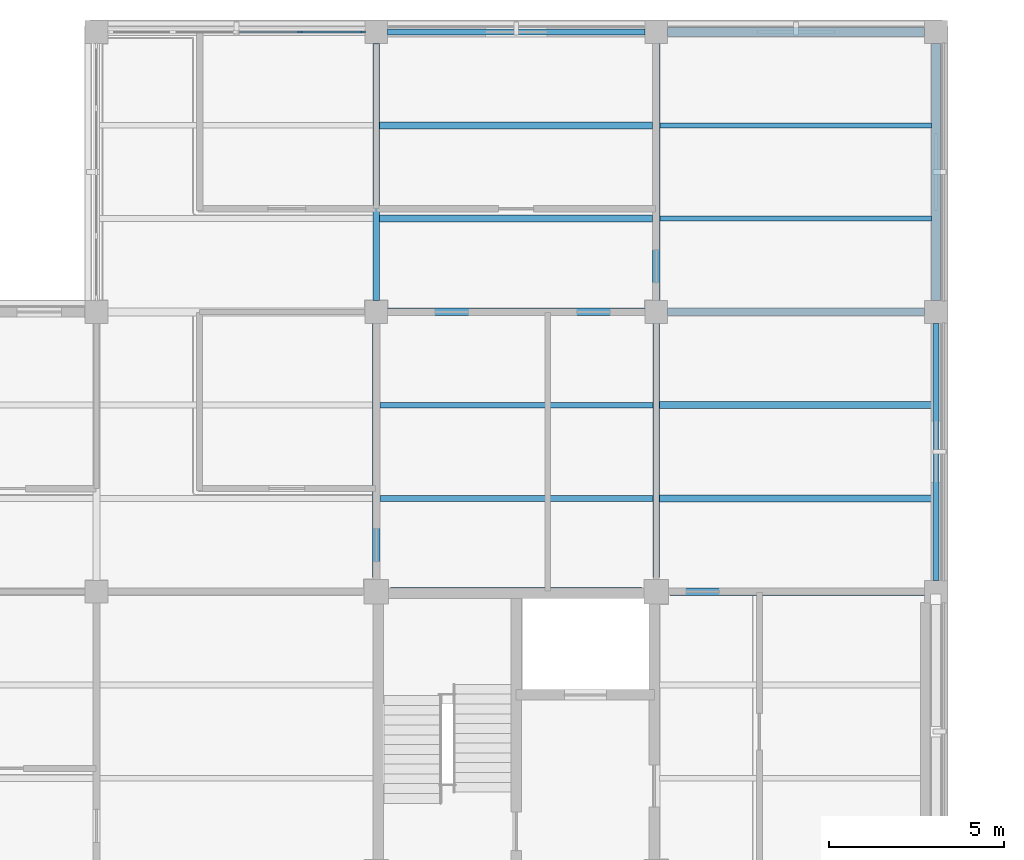
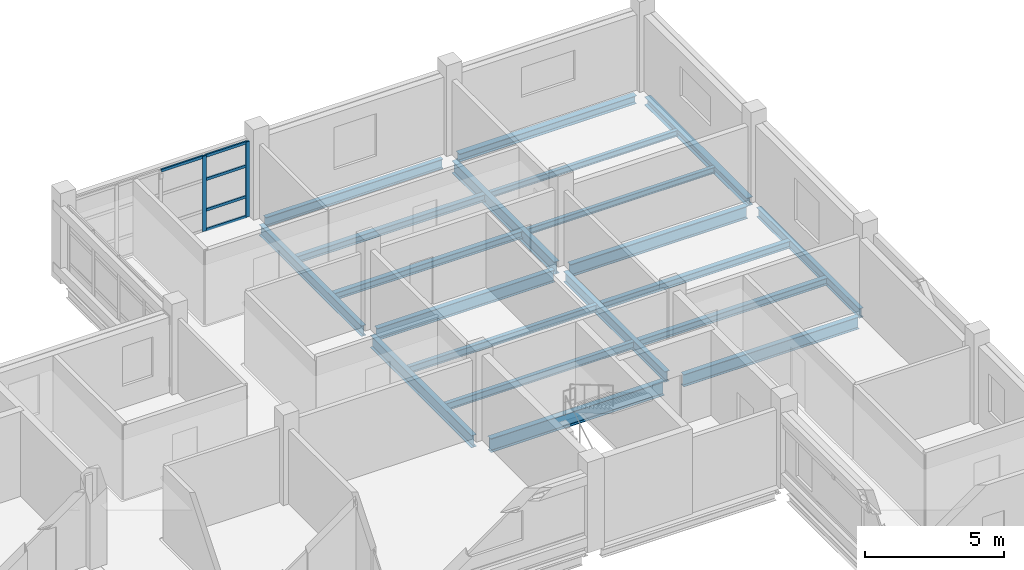
# One storey, part 54 of 107: 20 beams, 7 members, 1 element without a shape of its own.
"""IFC4 building model written with IfcOpenShell, lengths in metres."""

from ifc_helpers import new_model, si_unit, derived_unit, direction, frame, origin, origin_2d, place, context, subcontext, project, spatial, rectangle, i_section, extrude, material, layer, layer_set, material_profile, profile_set, type_object, element, aggregate, save


model = new_model("IFC4")

# Units and contexts
model_context = context("Model", 3, precision=1e-05, world=origin(), true_north=direction((0.0, 1.0)))
body_context = subcontext(model_context, "Body", "Model", "MODEL_VIEW")
ifc_project = project(units=[si_unit("LENGTHUNIT", "METRE"), si_unit("AREAUNIT", "SQUARE_METRE"), si_unit("VOLUMEUNIT", "CUBIC_METRE"), si_unit("PLANEANGLEUNIT", "RADIAN"), si_unit("MASSUNIT", "GRAM", prefix="KILO"), derived_unit("THERMALTRANSMITTANCEUNIT", [(si_unit("MASSUNIT", "GRAM", prefix="KILO"), 1), (si_unit("TIMEUNIT", "SECOND"), -3), (si_unit("THERMODYNAMICTEMPERATUREUNIT", "KELVIN"), -1)])], contexts=[model_context])

# Site, building, storey
site_placement = place(None, origin())
site = spatial("IfcSite", under=ifc_project, at=site_placement, CompositionType="ELEMENT")
building_placement = place(site_placement, origin())
building = spatial("IfcBuilding", under=site, at=building_placement, Name="Veyamyaing Civic Hall", CompositionType="ELEMENT")
storey_placement = place(building_placement, frame((0.0, 0.0, 13.860107421875)))
storey = spatial("IfcBuildingStorey", under=building, at=storey_placement, Name="L03", CompositionType="ELEMENT", Elevation=13.860107421875)

# Beams
ifc_material_1 = material(Name="Steel ASTM A992", Category="steel")
ifc_material_profile_1 = material_profile(ifc_material_1, i_section(OverallWidth=0.22802734375, OverallDepth=0.60791015625, WebThickness=0.01123046875, FlangeThickness=0.017333984375, FilletRadius=0.012939453125, at=origin_2d()), Name="W610X113")
ifc_profile_set_1 = profile_set([ifc_material_profile_1], Name="Steel ASTM A992")
beam_type_1 = type_object("IfcBeamType", Name="B-06", PredefinedType="BEAM", material=ifc_profile_set_1)
beam_1_placement = place(storey_placement, frame((160.39990234375, 96.0, -0.55908203125), z_axis=(1.0, 0.0, 0.0), x_axis=(0.0, 1.0, 0.0)))
element("IfcBeam", 1, at=beam_1_placement, inside=storey, type_object=beam_type_1, Name="Girder B-06 L03 Grid N 21-22", PredefinedType="BEAM", context=body_context, shape_type="SweptSolid", body=[
    extrude(i_section(OverallWidth=0.22802734375, OverallDepth=0.60791015625, WebThickness=0.01123046875, FlangeThickness=0.017333984375, FilletRadius=0.012939453125, at=origin_2d()), origin(), (0.0, 0.0, 1.0), 7.2001953125),
])
ifc_material_profile_2 = material_profile(ifc_material_1, i_section(OverallWidth=0.208984375, OverallDepth=0.532958984375, WebThickness=0.01025390625, FlangeThickness=0.015625, FilletRadius=0.011962890625, at=origin_2d()), Name="W530X92")
ifc_profile_set_2 = profile_set([ifc_material_profile_2], Name="Steel ASTM A992")
beam_type_2 = type_object("IfcBeamType", Name="B-07", PredefinedType="BEAM", material=ifc_profile_set_2)
beam_2_placement = place(storey_placement, frame((168.39990234375, 96.0, -0.521728515625), z_axis=(1.0, 0.0, 0.0), x_axis=(0.0, 1.0, 0.0)))
element("IfcBeam", 2, at=beam_2_placement, inside=storey, type_object=beam_type_2, Name="Girder B-07 L03 Grid N 22-23", PredefinedType="BEAM", context=body_context, shape_type="SweptSolid", body=[
    extrude(i_section(OverallWidth=0.208984375, OverallDepth=0.532958984375, WebThickness=0.01025390625, FlangeThickness=0.015625, FilletRadius=0.011962890625, at=origin_2d()), origin(), (0.0, 0.0, 1.0), 7.275146484375),
])
beam_3_placement = place(storey_placement, frame((160.324951171875, 104.0, -0.521728515625), z_axis=(1.0, 0.0, 0.0), x_axis=(0.0, 1.0, 0.0)))
element("IfcBeam", 3, at=beam_3_placement, inside=storey, type_object=beam_type_2, Name="Girder B-07 L03 Grid P 21-22", PredefinedType="BEAM", context=body_context, shape_type="SweptSolid", body=[
    extrude(i_section(OverallWidth=0.208984375, OverallDepth=0.532958984375, WebThickness=0.01025390625, FlangeThickness=0.015625, FilletRadius=0.011962890625, at=origin_2d()), origin(), (0.0, 0.0, 1.0), 7.35009765625),
])
beam_4_placement = place(storey_placement, frame((160.0, 96.39990234375, -0.521728515625), z_axis=(0.0, 1.0, 0.0), x_axis=(-1.0, 0.0, 0.0)))
element("IfcBeam", 4, at=beam_4_placement, inside=storey, type_object=beam_type_2, Name="Girder B-07 L03 Grid 21 N-P", PredefinedType="BEAM", context=body_context, shape_type="SweptSolid", body=[
    extrude(i_section(OverallWidth=0.208984375, OverallDepth=0.532958984375, WebThickness=0.01025390625, FlangeThickness=0.015625, FilletRadius=0.011962890625, at=origin_2d()), origin(), (0.0, 0.0, 1.0), 7.275146484375),
])
ifc_material_profile_3 = material_profile(ifc_material_1, i_section(OverallWidth=0.19189453125, OverallDepth=0.462890625, WebThickness=0.010498046875, FlangeThickness=0.017578125, FilletRadius=0.010009765625, at=origin_2d()), Name="W460X89")
ifc_profile_set_3 = profile_set([ifc_material_profile_3], Name="Steel ASTM A992")
beam_type_3 = type_object("IfcBeamType", Name="B-08", PredefinedType="BEAM", material=ifc_profile_set_3)
beam_5_placement = place(storey_placement, frame((160.0, 104.324951171875, -0.486572265625), z_axis=(0.0, 1.0, 0.0), x_axis=(-1.0, 0.0, 0.0)))
element("IfcBeam", 5, at=beam_5_placement, inside=storey, type_object=beam_type_3, Name="Girder B-08 L03 Grid 21 P-Q", PredefinedType="BEAM", context=body_context, shape_type="SweptSolid", body=[
    extrude(i_section(OverallWidth=0.19189453125, OverallDepth=0.462890625, WebThickness=0.010498046875, FlangeThickness=0.017578125, FilletRadius=0.010009765625, at=origin_2d()), origin(), (0.0, 0.0, 1.0), 7.35009765625),
])
beam_6_placement = place(storey_placement, frame((168.0, 96.39990234375, -0.486572265625), z_axis=(0.0, 1.0, 0.0), x_axis=(-1.0, 0.0, 0.0)))
element("IfcBeam", 6, at=beam_6_placement, inside=storey, type_object=beam_type_3, Name="Girder B-08 L03 Grid 22 N-P", PredefinedType="BEAM", context=body_context, shape_type="SweptSolid", body=[
    extrude(i_section(OverallWidth=0.19189453125, OverallDepth=0.462890625, WebThickness=0.010498046875, FlangeThickness=0.017578125, FilletRadius=0.010009765625, at=origin_2d()), origin(), (0.0, 0.0, 1.0), 7.275146484375),
])
ifc_material_profile_4 = material_profile(ifc_material_1, i_section(OverallWidth=0.214111328125, OverallDepth=0.549072265625, WebThickness=0.0146484375, FlangeThickness=0.023681640625, FilletRadius=0.011962890625, at=origin_2d()), Name="W530X138")
ifc_profile_set_4 = profile_set([ifc_material_profile_4], Name="Steel ASTM A992")
beam_type_4 = type_object("IfcBeamType", Name="B-16", PredefinedType="BEAM", material=ifc_profile_set_4)
beam_7_placement = place(storey_placement, frame((168.324951171875, 104.0, -0.529541015625), z_axis=(1.0, 0.0, 0.0), x_axis=(0.0, 1.0, 0.0)))
element("IfcBeam", 7, at=beam_7_placement, inside=storey, type_object=beam_type_4, Name="Girder B-16 L03 Grid P 22-23", PredefinedType="BEAM", context=body_context, shape_type="SweptSolid", body=[
    extrude(i_section(OverallWidth=0.214111328125, OverallDepth=0.549072265625, WebThickness=0.0146484375, FlangeThickness=0.023681640625, FilletRadius=0.011962890625, at=origin_2d()), origin(), (0.0, 0.0, 1.0), 7.35009765625),
])
ifc_material_profile_5 = material_profile(ifc_material_1, i_section(OverallWidth=0.2109375, OverallDepth=0.5390625, WebThickness=0.01171875, FlangeThickness=0.018798828125, FilletRadius=0.011962890625, at=origin_2d()), Name="W530X109")
ifc_profile_set_5 = profile_set([ifc_material_profile_5], Name="Steel ASTM A992")
beam_type_5 = type_object("IfcBeamType", Name="B-17", PredefinedType="BEAM", material=ifc_profile_set_5)
beam_8_placement = place(storey_placement, frame((168.0, 104.324951171875, -0.524658203125), z_axis=(0.0, 1.0, 0.0), x_axis=(-1.0, 0.0, 0.0)))
element("IfcBeam", 8, at=beam_8_placement, inside=storey, type_object=beam_type_5, Name="Girder B-17 L03 Grid 22 P-Q", PredefinedType="BEAM", context=body_context, shape_type="SweptSolid", body=[
    extrude(i_section(OverallWidth=0.2109375, OverallDepth=0.5390625, WebThickness=0.01171875, FlangeThickness=0.018798828125, FilletRadius=0.011962890625, at=origin_2d()), origin(), (0.0, 0.0, 1.0), 7.35009765625),
])
ifc_material_profile_6 = material_profile(ifc_material_1, i_section(OverallWidth=0.180908203125, OverallDepth=0.4169921875, WebThickness=0.010986328125, FlangeThickness=0.018310546875, FilletRadius=0.010009765625, at=origin_2d()), Name="W410X85")
ifc_profile_set_6 = profile_set([ifc_material_profile_6], Name="Steel ASTM A992")
beam_type_6 = type_object("IfcBeamType", Name="B-19", PredefinedType="SPANDREL", material=ifc_profile_set_6)
for number, where, z_axis, x_axis, name in (
    (9, (160.324951171875, 112.0, -0.463623046875), (1.0, 0.0, 0.0), (0.0, 1.0, 0.0), "Girder B-19 L03 Grid Q 21-22"),
    (10, (176.0, 96.324951171875, -0.463623046875), (0.0, 1.0, 0.0), (-1.0, 0.0, 0.0), "Girder B-19 L03 Grid 23 N-P"),
):
    element("IfcBeam", number, at=place(storey_placement, frame(where, z_axis=z_axis, x_axis=x_axis)), inside=storey, type_object=beam_type_6, Name=name, PredefinedType="SPANDREL", context=body_context, shape_type="SweptSolid", body=[
        extrude(i_section(OverallWidth=0.180908203125, OverallDepth=0.4169921875, WebThickness=0.010986328125, FlangeThickness=0.018310546875, FilletRadius=0.010009765625, at=origin_2d()), origin(), (0.0, 0.0, 1.0), 7.35009765625),
    ])
ifc_material_profile_7 = material_profile(ifc_material_1, i_section(OverallWidth=0.25390625, OverallDepth=0.35302734375, WebThickness=0.009521484375, FlangeThickness=0.016357421875, FilletRadius=0.011962890625, at=origin_2d()), Name="W360X91")
ifc_profile_set_7 = profile_set([ifc_material_profile_7], Name="Steel ASTM A992")
beam_type_7 = type_object("IfcBeamType", Name="B-20", PredefinedType="SPANDREL", material=ifc_profile_set_7)
for number, where, z_axis, x_axis, name in (
    (11, (168.324951171875, 112.0, -0.431640625), (1.0, 0.0, 0.0), (0.0, 1.0, 0.0), "Girder B-20 L03 Grid Q 22-23"),
    (12, (176.0, 104.324951171875, -0.431640625), (0.0, 1.0, 0.0), (-1.0, 0.0, 0.0), "Girder B-20 L03 Grid 23 P-Q"),
):
    element("IfcBeam", number, at=place(storey_placement, frame(where, z_axis=z_axis, x_axis=x_axis)), inside=storey, type_object=beam_type_7, Name=name, PredefinedType="SPANDREL", context=body_context, shape_type="SweptSolid", body=[
        extrude(i_section(OverallWidth=0.25390625, OverallDepth=0.35302734375, WebThickness=0.009521484375, FlangeThickness=0.016357421875, FilletRadius=0.011962890625, at=origin_2d()), origin(), (0.0, 0.0, 1.0), 7.35009765625),
    ])

# Curtain wall, members
ifc_material_2 = material(Name="Anodised aluminium 6063-T6", Category="aluminium")
ifc_layer = layer(ifc_material_2, 0.159912109375, Name="Anodised aluminium 6063-T6")
ifc_layer_set = layer_set([ifc_layer], Name="Anodised aluminium 6063-T6")
curtain_wall_type = type_object("IfcCurtainWallType", Name="CW-07", PredefinedType="NOTDEFINED", material=ifc_layer_set)
curtain_wall_placement = place(storey_placement, origin())
curtain_wall = element("IfcCurtainWall", 13, at=curtain_wall_placement, inside=storey, type_object=curtain_wall_type, Name="Unitized curtain wall CW-07 L03 N 20.14", PredefinedType="NOTDEFINED")
ifc_material_profile_8 = material_profile(ifc_material_2, rectangle(XDim=0.06494140625, YDim=0.159912109375, at=origin_2d()), Name="ALU-MUL-65X160")
ifc_profile_set_8 = profile_set([ifc_material_profile_8], Name="Anodised aluminium 6063-T6")
member_type_1 = type_object("IfcMemberType", Name="CWM-01", PredefinedType="MULLION", material=ifc_profile_set_8)
member_1_placement = place(storey_placement, frame((157.822509765625, 112.0, 0.0), z_axis=(0.0, 0.0, 1.0), x_axis=(0.0, 1.0, 0.0)))
member_1 = element("IfcMember", 14, at=member_1_placement, type_object=member_type_1, Name="CW-07 mullion 4", PredefinedType="MULLION", context=body_context, shape_type="SweptSolid", body=[
    extrude(rectangle(XDim=0.06494140625, YDim=0.159912109375, at=origin_2d()), origin(), (0.0, 0.0, 1.0), 3.2998046875),
])
member_2_placement = place(storey_placement, frame((159.612548828125, 112.0, 0.0), z_axis=(0.0, 0.0, 1.0), x_axis=(0.0, 1.0, 0.0)))
member_2 = element("IfcMember", 15, at=member_2_placement, type_object=member_type_1, Name="CW-07 mullion 5", PredefinedType="MULLION", context=body_context, shape_type="SweptSolid", body=[
    extrude(rectangle(XDim=0.06494140625, YDim=0.159912109375, at=origin_2d()), origin(), (0.0, 0.0, 1.0), 3.2998046875),
])
ifc_material_profile_9 = material_profile(ifc_material_2, rectangle(XDim=0.06494140625, YDim=0.1201171875, at=origin_2d()), Name="ALU-TRN-65X120")
ifc_profile_set_9 = profile_set([ifc_material_profile_9], Name="Anodised aluminium 6063-T6")
member_type_2 = type_object("IfcMemberType", Name="CWT-01", PredefinedType="USERDEFINED", material=ifc_profile_set_9)
member_3_placement = place(storey_placement, frame((156.032470703125, 112.0, 3.267333984375), z_axis=(1.0, 0.0, 0.0), x_axis=(0.0, 1.0, 0.0)))
member_3 = element("IfcMember", 16, at=member_3_placement, type_object=member_type_2, Name="CW-07 transom 3.4", ObjectType="TRANSOM", PredefinedType="USERDEFINED", context=body_context, shape_type="SweptSolid", body=[
    extrude(rectangle(XDim=0.06494140625, YDim=0.1201171875, at=origin_2d()), origin(), (0.0, 0.0, 1.0), 1.757568359375),
])
member_4_placement = place(storey_placement, frame((157.85498046875, 112.0, 0.032470703125), z_axis=(1.0, 0.0, 0.0), x_axis=(0.0, 1.0, 0.0)))
member_4 = element("IfcMember", 17, at=member_4_placement, type_object=member_type_2, Name="CW-07 transom 4.1", ObjectType="TRANSOM", PredefinedType="USERDEFINED", context=body_context, shape_type="SweptSolid", body=[
    extrude(rectangle(XDim=0.06494140625, YDim=0.1201171875, at=origin_2d()), origin(), (0.0, 0.0, 1.0), 1.72509765625),
])
member_5_placement = place(storey_placement, frame((157.85498046875, 112.0, 0.89990234375), z_axis=(1.0, 0.0, 0.0), x_axis=(0.0, 1.0, 0.0)))
member_5 = element("IfcMember", 18, at=member_5_placement, type_object=member_type_2, Name="CW-07 transom 4.2", ObjectType="TRANSOM", PredefinedType="USERDEFINED", context=body_context, shape_type="SweptSolid", body=[
    extrude(rectangle(XDim=0.06494140625, YDim=0.1201171875, at=origin_2d()), origin(), (0.0, 0.0, 1.0), 1.72509765625),
])
member_6_placement = place(storey_placement, frame((157.85498046875, 112.0, 2.243896484375), z_axis=(1.0, 0.0, 0.0), x_axis=(0.0, 1.0, 0.0)))
member_6 = element("IfcMember", 19, at=member_6_placement, type_object=member_type_2, Name="CW-07 transom 4.3", ObjectType="TRANSOM", PredefinedType="USERDEFINED", context=body_context, shape_type="SweptSolid", body=[
    extrude(rectangle(XDim=0.06494140625, YDim=0.1201171875, at=origin_2d()), origin(), (0.0, 0.0, 1.0), 1.72509765625),
])
member_7_placement = place(storey_placement, frame((157.85498046875, 112.0, 3.267333984375), z_axis=(1.0, 0.0, 0.0), x_axis=(0.0, 1.0, 0.0)))
member_7 = element("IfcMember", 20, at=member_7_placement, type_object=member_type_2, Name="CW-07 transom 4.4", ObjectType="TRANSOM", PredefinedType="USERDEFINED", context=body_context, shape_type="SweptSolid", body=[
    extrude(rectangle(XDim=0.06494140625, YDim=0.1201171875, at=origin_2d()), origin(), (0.0, 0.0, 1.0), 1.72509765625),
])
aggregate(curtain_wall, [member_1, member_2, member_3, member_4, member_5, member_6, member_7])

# Beams
ifc_material_profile_10 = material_profile(ifc_material_1, i_section(OverallWidth=0.1650390625, OverallDepth=0.31005859375, WebThickness=0.005859375, FlangeThickness=0.009765625, FilletRadius=0.010009765625, at=origin_2d()), Name="W310X39")
ifc_profile_set_10 = profile_set([ifc_material_profile_10], Name="Steel ASTM A992")
beam_type_8 = type_object("IfcBeamType", Name="J-05", PredefinedType="JOIST", material=ifc_profile_set_10)
for number, where, z_axis, x_axis, name in (
    (21, (160.1025390625, 98.666748046875, -0.41015625), (1.0, 0.0, 0.0), (0.0, 1.0, 0.0), "Composite floor joist J-05 L03 21.13.1"),
    (22, (160.1025390625, 101.333251953125, -0.41015625), (1.0, 0.0, 0.0), (0.0, 1.0, 0.0), "Composite floor joist J-05 L03 21.13.2"),
):
    element("IfcBeam", number, at=place(storey_placement, frame(where, z_axis=z_axis, x_axis=x_axis)), inside=storey, type_object=beam_type_8, Name=name, PredefinedType="JOIST", context=body_context, shape_type="SweptSolid", body=[
        extrude(i_section(OverallWidth=0.1650390625, OverallDepth=0.31005859375, WebThickness=0.005859375, FlangeThickness=0.009765625, FilletRadius=0.010009765625, at=origin_2d()), origin(), (0.0, 0.0, 1.0), 7.803466796875),
    ])
ifc_material_profile_11 = material_profile(ifc_material_1, i_section(OverallWidth=0.2041015625, OverallDepth=0.305908203125, WebThickness=0.008544921875, FlangeThickness=0.0146484375, FilletRadius=0.010009765625, at=origin_2d()), Name="W310X67")
ifc_profile_set_11 = profile_set([ifc_material_profile_11], Name="Steel ASTM A992")
beam_type_9 = type_object("IfcBeamType", Name="J-06", PredefinedType="JOIST", material=ifc_profile_set_11)
for number, where, z_axis, x_axis, name in (
    (23, (160.093994140625, 106.666748046875, -0.408203125), (1.0, 0.0, 0.0), (0.0, 1.0, 0.0), "Composite floor joist J-06 L03 21.14.1"),
    (24, (160.093994140625, 109.333251953125, -0.408203125), (1.0, 0.0, 0.0), (0.0, 1.0, 0.0), "Composite floor joist J-06 L03 21.14.2"),
):
    element("IfcBeam", number, at=place(storey_placement, frame(where, z_axis=z_axis, x_axis=x_axis)), inside=storey, type_object=beam_type_9, Name=name, PredefinedType="JOIST", context=body_context, shape_type="SweptSolid", body=[
        extrude(i_section(OverallWidth=0.2041015625, OverallDepth=0.305908203125, WebThickness=0.008544921875, FlangeThickness=0.0146484375, FilletRadius=0.010009765625, at=origin_2d()), origin(), (0.0, 0.0, 1.0), 7.802490234375),
    ])
for number, where, z_axis, x_axis, name in (
    (25, (168.093994140625, 98.666748046875, -0.408203125), (1.0, 0.0, 0.0), (0.0, 1.0, 0.0), "Composite floor joist J-06 L03 22.13.1"),
    (26, (168.093994140625, 101.333251953125, -0.408203125), (1.0, 0.0, 0.0), (0.0, 1.0, 0.0), "Composite floor joist J-06 L03 22.13.2"),
):
    element("IfcBeam", number, at=place(storey_placement, frame(where, z_axis=z_axis, x_axis=x_axis)), inside=storey, type_object=beam_type_9, Name=name, PredefinedType="JOIST", context=body_context, shape_type="SweptSolid", body=[
        extrude(i_section(OverallWidth=0.2041015625, OverallDepth=0.305908203125, WebThickness=0.008544921875, FlangeThickness=0.0146484375, FilletRadius=0.010009765625, at=origin_2d()), origin(), (0.0, 0.0, 1.0), 7.817626953125),
    ])
ifc_material_profile_12 = material_profile(ifc_material_1, i_section(OverallWidth=0.14794921875, OverallDepth=0.26611328125, WebThickness=0.007568359375, FlangeThickness=0.012939453125, FilletRadius=0.010009765625, at=origin_2d()), Name="W250X45")
ifc_profile_set_12 = profile_set([ifc_material_profile_12], Name="Steel ASTM A992")
beam_type_10 = type_object("IfcBeamType", Name="J-07", PredefinedType="JOIST", material=ifc_profile_set_12)
for number, where, z_axis, x_axis, name in (
    (27, (168.103515625, 106.666748046875, -0.38818359375), (1.0, 0.0, 0.0), (0.0, 1.0, 0.0), "Composite floor joist J-07 L03 22.14.1"),
    (28, (168.103515625, 109.333251953125, -0.38818359375), (1.0, 0.0, 0.0), (0.0, 1.0, 0.0), "Composite floor joist J-07 L03 22.14.2"),
):
    element("IfcBeam", number, at=place(storey_placement, frame(where, z_axis=z_axis, x_axis=x_axis)), inside=storey, type_object=beam_type_10, Name=name, PredefinedType="JOIST", context=body_context, shape_type="SweptSolid", body=[
        extrude(i_section(OverallWidth=0.14794921875, OverallDepth=0.26611328125, WebThickness=0.007568359375, FlangeThickness=0.012939453125, FilletRadius=0.010009765625, at=origin_2d()), origin(), (0.0, 0.0, 1.0), 7.771484375),
    ])

save(model, "model.ifc")
